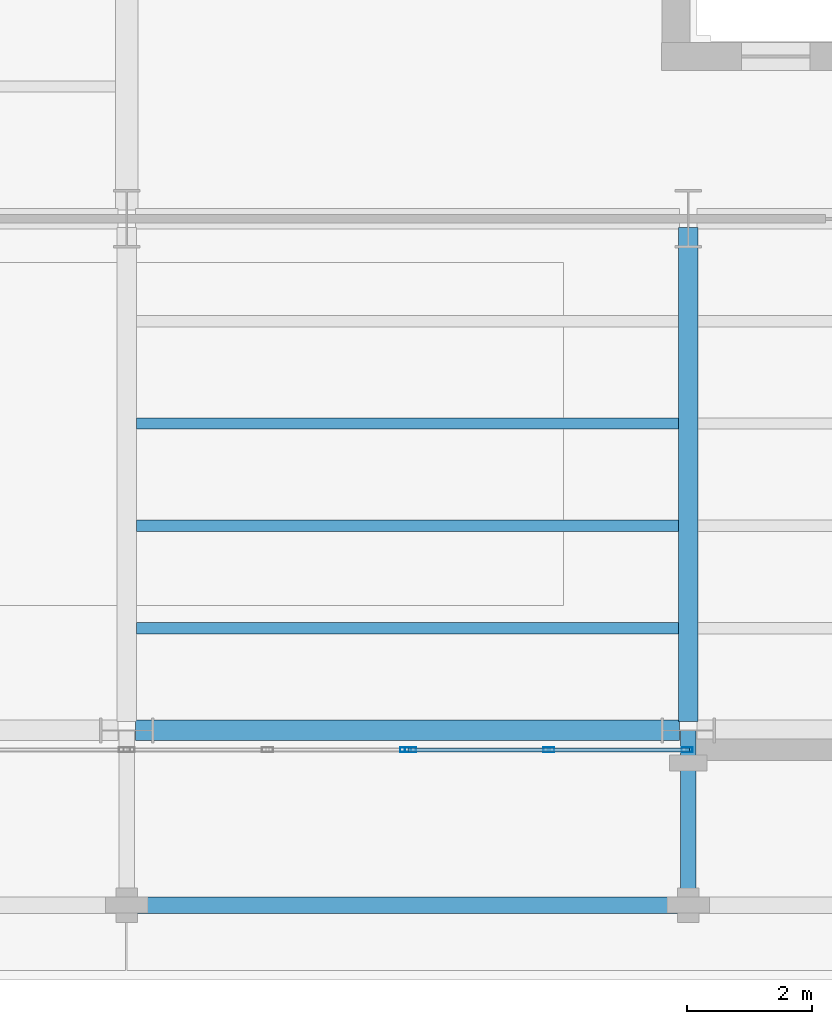
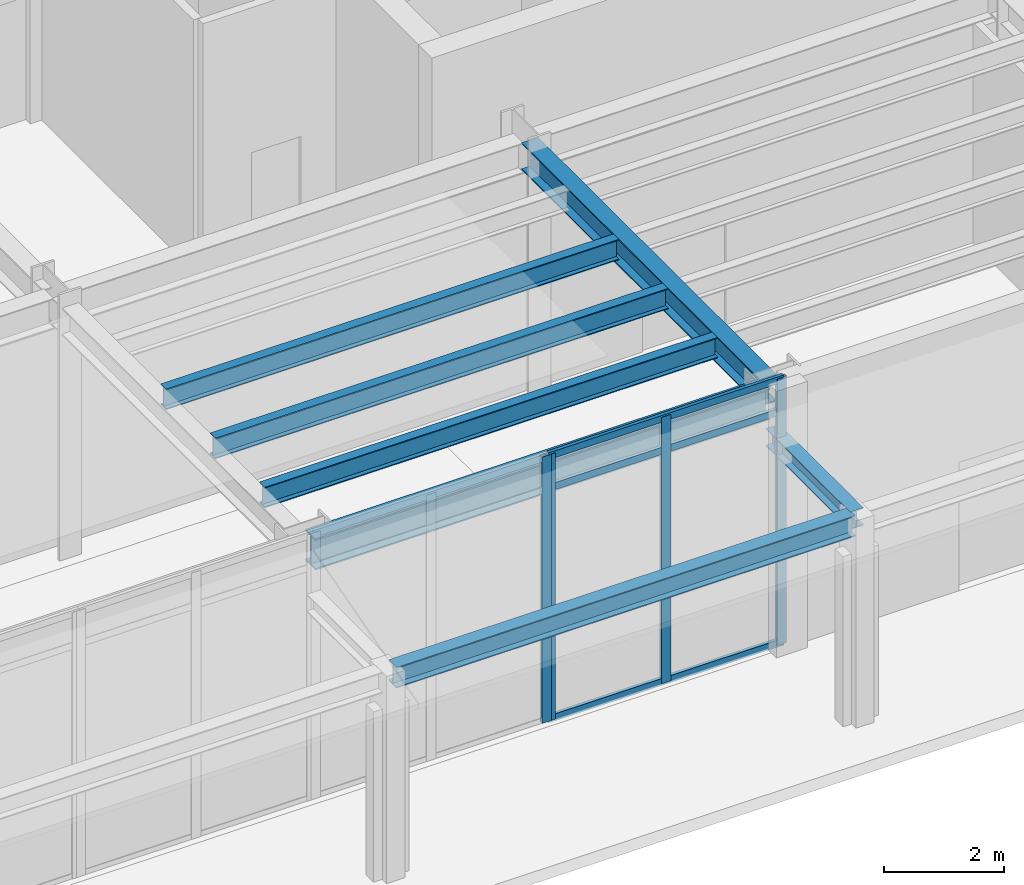
# One storey, part 27 of 94: 7 beams, 7 members, 2 elements without a shape of their own.
"""IFC4 building model written with IfcOpenShell, lengths in metres."""

from ifc_helpers import new_model, si_unit, direction, frame, origin, origin_2d, place, context, subcontext, project, spatial, hollow_rectangle, i_section, extrude, material, layer, layer_set, material_profile, profile_set, type_object, element, aggregate, save


model = new_model("IFC4")

# Units and contexts
model_context = context("Model", 3, precision=1e-05, world=origin(), true_north=direction((0.0, 1.0)))
body_context = subcontext(model_context, "Body", "Model", "MODEL_VIEW")
ifc_project = project(units=[si_unit("LENGTHUNIT", "METRE"), si_unit("AREAUNIT", "SQUARE_METRE"), si_unit("VOLUMEUNIT", "CUBIC_METRE"), si_unit("PLANEANGLEUNIT", "RADIAN"), si_unit("MASSUNIT", "GRAM", prefix="KILO")], contexts=[model_context])

# Site, building, storey
site_placement = place(None, origin())
site = spatial("IfcSite", under=ifc_project, at=site_placement, CompositionType="ELEMENT")
building_placement = place(site_placement, origin())
building = spatial("IfcBuilding", under=site, at=building_placement, Name="Sollismere Congress Hotel", CompositionType="ELEMENT")
storey_placement = place(building_placement, origin())
storey = spatial("IfcBuildingStorey", under=building, at=storey_placement, Name="L00", CompositionType="ELEMENT", Elevation=0.0)

# Beams
ifc_material_1 = material(Name="Steel ASTM A992 Grade 50", Category="steel")
ifc_material_profile_1 = material_profile(ifc_material_1, i_section(OverallWidth=0.31494140625, OverallDepth=0.551025390625, WebThickness=0.01513671875, FlangeThickness=0.0244140625, at=origin_2d()), Name="W21X122")
ifc_profile_set_1 = profile_set([ifc_material_profile_1], Name="Steel ASTM A992 Grade 50")
beam_type_1 = type_object("IfcBeamType", Name="BM-G21H", PredefinedType="BEAM", material=ifc_profile_set_1)
beam_1_placement = place(storey_placement, frame((94.0, 0.139892578125, 4.839599609375), z_axis=(0.0, 1.0, 0.0), x_axis=(-1.0, 0.0, 0.0)))
element("IfcBeam", 1, at=beam_1_placement, inside=storey, type_object=beam_type_1, Name="Beam BM-L00-1266", PredefinedType="BEAM", context=body_context, shape_type="SweptSolid", body=[
    extrude(i_section(OverallWidth=0.31494140625, OverallDepth=0.551025390625, WebThickness=0.01513671875, FlangeThickness=0.0244140625, at=origin_2d()), origin(), (0.0, 0.0, 1.0), 7.920166015625),
])
ifc_material_profile_2 = material_profile(ifc_material_1, i_section(OverallWidth=0.180908203125, OverallDepth=0.4169921875, WebThickness=0.010986328125, FlangeThickness=0.018310546875, at=origin_2d()), Name="W16X57")
ifc_profile_set_2 = profile_set([ifc_material_profile_2], Name="Steel ASTM A992 Grade 50")
beam_type_2 = type_object("IfcBeamType", Name="BM-J16", PredefinedType="JOIST", material=ifc_profile_set_2)
for number, where, z_axis, x_axis, name in (
    (2, (85.157470703125, 1.639892578125, 4.906494140625), (1.0, 0.0, 0.0), (0.0, 1.0, 0.0), "Beam BM-L00-1390"),
    (3, (85.157470703125, 3.280029296875, 4.906494140625), (1.0, 0.0, 0.0), (0.0, 1.0, 0.0), "Beam BM-L00-1391"),
    (4, (85.157470703125, 4.919921875, 4.906494140625), (1.0, 0.0, 0.0), (0.0, 1.0, 0.0), "Beam BM-L00-1392"),
):
    element("IfcBeam", number, at=place(storey_placement, frame(where, z_axis=z_axis, x_axis=x_axis)), inside=storey, type_object=beam_type_2, Name=name, PredefinedType="JOIST", context=body_context, shape_type="SweptSolid", body=[
        extrude(i_section(OverallWidth=0.180908203125, OverallDepth=0.4169921875, WebThickness=0.010986328125, FlangeThickness=0.018310546875, at=origin_2d()), origin(), (0.0, 0.0, 1.0), 8.68505859375),
    ])
ifc_material_profile_3 = material_profile(ifc_material_1, i_section(OverallWidth=0.25390625, OverallDepth=0.35595703125, WebThickness=0.010498046875, FlangeThickness=0.018310546875, at=origin_2d()), Name="W14X68")
ifc_profile_set_3 = profile_set([ifc_material_profile_3], Name="Steel ASTM A992 Grade 50")
beam_type_3 = type_object("IfcBeamType", Name="BM-LN14I", PredefinedType="LINTEL", material=ifc_profile_set_3)
beam_2_placement = place(storey_placement, frame((94.0, -2.800048828125, 4.02197265625), z_axis=(0.0, 1.0, 0.0), x_axis=(-1.0, 0.0, 0.0)))
element("IfcBeam", 5, at=beam_2_placement, inside=storey, type_object=beam_type_3, Name="Beam BM-L00-3850", PredefinedType="LINTEL", context=body_context, shape_type="SweptSolid", body=[
    extrude(i_section(OverallWidth=0.25390625, OverallDepth=0.35595703125, WebThickness=0.010498046875, FlangeThickness=0.018310546875, at=origin_2d()), origin(), (0.0, 0.0, 1.0), 2.800048828125),
])
ifc_material_profile_4 = material_profile(ifc_material_1, i_section(OverallWidth=0.261962890625, OverallDepth=0.4189453125, WebThickness=0.01171875, FlangeThickness=0.019287109375, at=origin_2d()), Name="W16X77")
ifc_profile_set_4 = profile_set([ifc_material_profile_4], Name="Steel ASTM A992 Grade 50")
beam_type_4 = type_object("IfcBeamType", Name="BM-LN16E", PredefinedType="LINTEL", material=ifc_profile_set_4)
beam_3_placement = place(storey_placement, frame((85.10009765625, -2.800048828125, 3.990478515625), z_axis=(1.0, 0.0, 0.0), x_axis=(0.0, 1.0, 0.0)))
element("IfcBeam", 6, at=beam_3_placement, inside=storey, type_object=beam_type_4, Name="Beam BM-L00-3845", PredefinedType="LINTEL", context=body_context, shape_type="SweptSolid", body=[
    extrude(i_section(OverallWidth=0.261962890625, OverallDepth=0.4189453125, WebThickness=0.01171875, FlangeThickness=0.019287109375, at=origin_2d()), origin(), (0.0, 0.0, 1.0), 8.7998046875),
])
ifc_material_profile_5 = material_profile(ifc_material_1, i_section(OverallWidth=0.330078125, OverallDepth=0.635009765625, WebThickness=0.017822265625, FlangeThickness=0.031005859375, at=origin_2d()), Name="W24X162")
ifc_profile_set_5 = profile_set([ifc_material_profile_5], Name="Steel ASTM A992 Grade 50")
beam_type_5 = type_object("IfcBeamType", Name="BM-SP24E", PredefinedType="SPANDREL", material=ifc_profile_set_5)
beam_4_placement = place(storey_placement, frame((85.139892578125, 0.0, 4.797607421875), z_axis=(1.0, 0.0, 0.0), x_axis=(0.0, 1.0, 0.0)))
element("IfcBeam", 7, at=beam_4_placement, inside=storey, type_object=beam_type_5, Name="Beam BM-L00-1130", PredefinedType="SPANDREL", context=body_context, shape_type="SweptSolid", body=[
    extrude(i_section(OverallWidth=0.330078125, OverallDepth=0.635009765625, WebThickness=0.017822265625, FlangeThickness=0.031005859375, at=origin_2d()), origin(), (0.0, 0.0, 1.0), 8.72021484375),
])

# Curtain wall, member
ifc_material_2 = material(Name="Anodized Bronze Curtain Wall & Low-E Triple Glazing", Category="glass")
ifc_layer = layer(ifc_material_2, 0.199951171875, Name="Anodized Bronze Curtain Wall & Low-E Triple Glazing")
ifc_layer_set = layer_set([ifc_layer], Name="Anodized Bronze Curtain Wall & Low-E Triple Glazing")
curtain_wall_type = type_object("IfcCurtainWallType", Name="CW-GLZ36", PredefinedType="USERDEFINED", material=ifc_layer_set)
curtain_wall_1_placement = place(storey_placement, origin())
curtain_wall_1 = element("IfcCurtainWall", 8, at=curtain_wall_1_placement, inside=storey, type_object=curtain_wall_type, Name="Unitised curtain wall CW-L00-151", ObjectType="UNITISED CURTAIN WALL", PredefinedType="USERDEFINED")
ifc_material_3 = material(Name="Anodized Aluminum 6063-T6", Category="aluminium")
ifc_material_profile_6 = material_profile(ifc_material_3, hollow_rectangle(XDim=0.074951171875, YDim=0.179931640625, WallThickness=0.0048828125, at=origin_2d()), Name="ALU180X75X5")
ifc_profile_set_6 = profile_set([ifc_material_profile_6], Name="Anodized Aluminum 6063-T6")
member_type_1 = type_object("IfcMemberType", Name="ML-CW180", PredefinedType="MULLION", material=ifc_profile_set_6)
member_1_placement = place(storey_placement, frame((89.471923828125, -0.31005859375, 0.0), z_axis=(0.0, 0.0, 1.0), x_axis=(0.0, 1.0, 0.0)))
member_1 = element("IfcMember", 9, at=member_1_placement, type_object=member_type_1, Name="CWL-CW-L00-151-ML03", PredefinedType="MULLION", context=body_context, shape_type="SweptSolid", body=[
    extrude(hollow_rectangle(XDim=0.074951171875, YDim=0.179931640625, WallThickness=0.0048828125, at=origin_2d()), origin(), (0.0, 0.0, 1.0), 5.39990234375),
])
aggregate(curtain_wall_1, [member_1])

# Curtain wall, members
curtain_wall_2_placement = place(storey_placement, origin())
curtain_wall_2 = element("IfcCurtainWall", 10, at=curtain_wall_2_placement, inside=storey, type_object=curtain_wall_type, Name="Unitised curtain wall CW-L00-152", ObjectType="UNITISED CURTAIN WALL", PredefinedType="USERDEFINED")
member_2_placement = place(storey_placement, frame((89.548095703125, -0.31005859375, 0.0), z_axis=(0.0, 0.0, 1.0), x_axis=(0.0, 1.0, 0.0)))
member_2 = element("IfcMember", 11, at=member_2_placement, type_object=member_type_1, Name="CWL-CW-L00-152-ML01", PredefinedType="MULLION", context=body_context, shape_type="SweptSolid", body=[
    extrude(hollow_rectangle(XDim=0.074951171875, YDim=0.179931640625, WallThickness=0.0048828125, at=origin_2d()), origin(), (0.0, 0.0, 1.0), 5.39990234375),
])
member_3_placement = place(storey_placement, frame((91.764892578125, -0.31005859375, 0.0), z_axis=(0.0, 0.0, 1.0), x_axis=(0.0, 1.0, 0.0)))
member_3 = element("IfcMember", 12, at=member_3_placement, type_object=member_type_1, Name="CWL-CW-L00-152-ML02", PredefinedType="MULLION", context=body_context, shape_type="SweptSolid", body=[
    extrude(hollow_rectangle(XDim=0.074951171875, YDim=0.179931640625, WallThickness=0.0048828125, at=origin_2d()), origin(), (0.0, 0.0, 1.0), 5.39990234375),
])
member_4_placement = place(storey_placement, frame((93.98193359375, -0.31005859375, 0.0), z_axis=(0.0, 0.0, 1.0), x_axis=(0.0, 1.0, 0.0)))
member_4 = element("IfcMember", 13, at=member_4_placement, type_object=member_type_1, Name="CWL-CW-L00-152-ML03", PredefinedType="MULLION", context=body_context, shape_type="SweptSolid", body=[
    extrude(hollow_rectangle(XDim=0.074951171875, YDim=0.179931640625, WallThickness=0.0048828125, at=origin_2d()), origin(), (0.0, 0.0, 1.0), 5.39990234375),
])
ifc_material_profile_7 = material_profile(ifc_material_3, hollow_rectangle(XDim=0.06494140625, YDim=0.139892578125, WallThickness=0.00390625, at=origin_2d()), Name="ALU140X65X4")
ifc_profile_set_7 = profile_set([ifc_material_profile_7], Name="Anodized Aluminum 6063-T6")
member_type_2 = type_object("IfcMemberType", Name="TR-CW150", PredefinedType="MEMBER", material=ifc_profile_set_7)
member_5_placement = place(storey_placement, frame((89.510009765625, -0.31005859375, 0.032470703125), z_axis=(1.0, 0.0, 0.0), x_axis=(0.0, 1.0, 0.0)))
member_5 = element("IfcMember", 14, at=member_5_placement, type_object=member_type_2, Name="CWL-CW-L00-152-TR1", PredefinedType="MEMBER", context=body_context, shape_type="SweptSolid", body=[
    extrude(hollow_rectangle(XDim=0.06494140625, YDim=0.139892578125, WallThickness=0.00390625, at=origin_2d()), origin(), (0.0, 0.0, 1.0), 4.510009765625),
])
member_6_placement = place(storey_placement, frame((89.510009765625, -0.31005859375, 4.719970703125), z_axis=(1.0, 0.0, 0.0), x_axis=(0.0, 1.0, 0.0)))
member_6 = element("IfcMember", 15, at=member_6_placement, type_object=member_type_2, Name="CWL-CW-L00-152-TR2", PredefinedType="MEMBER", context=body_context, shape_type="SweptSolid", body=[
    extrude(hollow_rectangle(XDim=0.06494140625, YDim=0.139892578125, WallThickness=0.00390625, at=origin_2d()), origin(), (0.0, 0.0, 1.0), 4.510009765625),
])
member_7_placement = place(storey_placement, frame((89.510009765625, -0.31005859375, 5.367431640625), z_axis=(1.0, 0.0, 0.0), x_axis=(0.0, 1.0, 0.0)))
member_7 = element("IfcMember", 16, at=member_7_placement, type_object=member_type_2, Name="CWL-CW-L00-152-TR3", PredefinedType="MEMBER", context=body_context, shape_type="SweptSolid", body=[
    extrude(hollow_rectangle(XDim=0.06494140625, YDim=0.139892578125, WallThickness=0.00390625, at=origin_2d()), origin(), (0.0, 0.0, 1.0), 4.510009765625),
])
aggregate(curtain_wall_2, [member_2, member_3, member_4, member_5, member_6, member_7])

save(model, "model.ifc")
